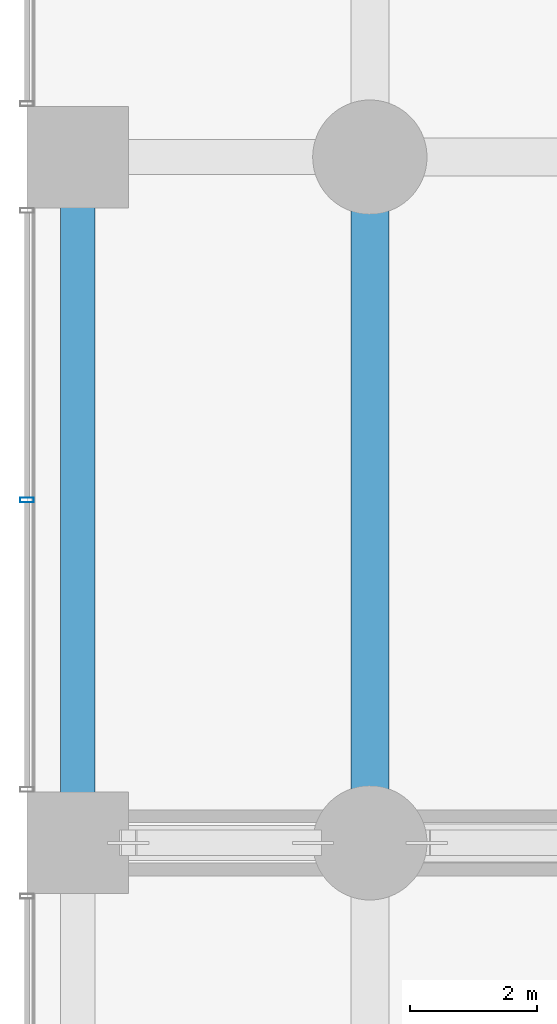
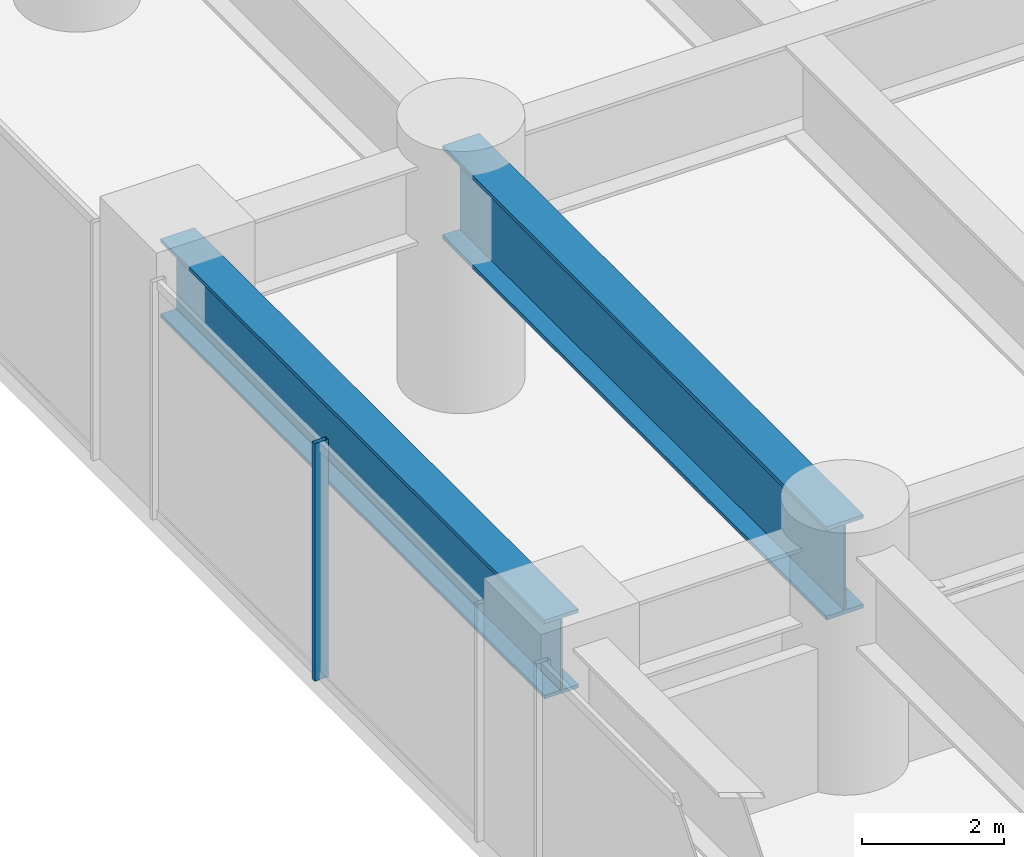
# One storey, part 7 of 37: 2 beams, 1 member, 1 element without a shape of its own.
"""IFC4 building model written with IfcOpenShell, lengths in metres."""

from ifc_helpers import new_model, si_unit, direction, frame, origin, origin_2d, place, context, subcontext, project, spatial, hollow_rectangle, i_section, extrude, material, layer, layer_set, material_profile, profile_set, type_object, element, aggregate, save


model = new_model("IFC4")

# Units and contexts
model_context = context("Model", 3, precision=1e-05, world=origin(), true_north=direction((0.0, 1.0)))
body_context = subcontext(model_context, "Body", "Model", "MODEL_VIEW")
ifc_project = project(units=[si_unit("LENGTHUNIT", "METRE"), si_unit("AREAUNIT", "SQUARE_METRE"), si_unit("VOLUMEUNIT", "CUBIC_METRE"), si_unit("PLANEANGLEUNIT", "RADIAN"), si_unit("MASSUNIT", "GRAM", prefix="KILO")], contexts=[model_context])

# Site, building, storey
site_placement = place(None, origin())
site = spatial("IfcSite", under=ifc_project, at=site_placement, CompositionType="ELEMENT")
building_placement = place(site_placement, origin())
building = spatial("IfcBuilding", under=site, at=building_placement, Name="Surkhivell Harbour Commons", CompositionType="ELEMENT")
storey_placement = place(building_placement, frame((0.0, 0.0, 18.0)))
storey = spatial("IfcBuildingStorey", under=building, at=storey_placement, Name="L04", CompositionType="ELEMENT", Elevation=18.0)

# Beams
ifc_material_1 = material(Name="Steel S460", Category="steel")
ifc_material_profile_1 = material_profile(ifc_material_1, i_section(OverallWidth=0.550048828125, OverallDepth=1.35009765625, WebThickness=0.031982421875, FlangeThickness=0.06005859375, at=origin_2d()), Name="WPG1350x550x248")
ifc_profile_set_1 = profile_set([ifc_material_profile_1], Name="Steel S460")
beam_type_1 = type_object("IfcBeamType", Name="BM-TRF-1350", PredefinedType="BEAM", material=ifc_profile_set_1)
beam_1_placement = place(storey_placement, frame((-37.0, 0.0, 3.405029296875), z_axis=(0.0, 1.0, 0.0), x_axis=(-1.0, 0.0, 0.0)))
element("IfcBeam", 1, at=beam_1_placement, inside=storey, type_object=beam_type_1, Name="L04 Transfer Girder (-37.0,0.0)", PredefinedType="BEAM", context=body_context, shape_type="SweptSolid", body=[
    extrude(i_section(OverallWidth=0.550048828125, OverallDepth=1.35009765625, WebThickness=0.031982421875, FlangeThickness=0.06005859375, at=origin_2d()), origin(), (0.0, 0.0, 1.0), 10.800048828125),
])
ifc_material_profile_2 = material_profile(ifc_material_1, i_section(OverallWidth=0.60009765625, OverallDepth=1.60009765625, WebThickness=0.035888671875, FlangeThickness=0.06494140625, at=origin_2d()), Name="WPG1600x600x296")
ifc_profile_set_2 = profile_set([ifc_material_profile_2], Name="Steel S460")
beam_type_2 = type_object("IfcBeamType", Name="BM-TRF-1600", PredefinedType="BEAM", material=ifc_profile_set_2)
beam_2_placement = place(storey_placement, frame((-32.39990234375, 0.0, 3.280029296875), z_axis=(0.0, 1.0, 0.0), x_axis=(-1.0, 0.0, 0.0)))
element("IfcBeam", 2, at=beam_2_placement, inside=storey, type_object=beam_type_2, Name="L04 Transfer Girder (-32.4,0.0)", PredefinedType="BEAM", context=body_context, shape_type="SweptSolid", body=[
    extrude(i_section(OverallWidth=0.60009765625, OverallDepth=1.60009765625, WebThickness=0.035888671875, FlangeThickness=0.06494140625, at=origin_2d()), origin(), (0.0, 0.0, 1.0), 10.800048828125),
])

# Curtain wall, member
ifc_material_2 = material(Name="Anodised pale-metal aluminium and insulated glazing", Category="aluminium")
ifc_layer = layer(ifc_material_2, 0.239990234375)
ifc_layer_set = layer_set([ifc_layer], Name="Anodised pale-metal aluminium and insulated glazing")
curtain_wall_type = type_object("IfcCurtainWallType", Name="CW-SYS-POD", PredefinedType="NOTDEFINED", material=ifc_layer_set)
curtain_wall_placement = place(storey_placement, origin())
curtain_wall = element("IfcCurtainWall", 3, at=curtain_wall_placement, inside=storey, type_object=curtain_wall_type, Name="L04 Curtain Wall CW-L04-W4", PredefinedType="NOTDEFINED")
ifc_material_3 = material(Name="Anodised pale-metal aluminium alloy 6063-T6", Category="aluminium")
ifc_material_profile_3 = material_profile(ifc_material_3, hollow_rectangle(XDim=0.074951171875, YDim=0.219970703125, WallThickness=0.00390625, at=origin_2d()), Name="ALU-MULL-75x220")
ifc_profile_set_3 = profile_set([ifc_material_profile_3], Name="Anodised pale-metal aluminium alloy 6063-T6")
member_type = type_object("IfcMemberType", Name="CWM-220", PredefinedType="MULLION", material=ifc_profile_set_3)
member_placement = place(storey_placement, frame((-37.800048828125, 5.39990234375, 0.0), z_axis=(0.0, 0.0, 1.0), x_axis=(0.0, 1.0, 0.0)))
member = element("IfcMember", 4, at=member_placement, type_object=member_type, Name="CW-POD mullion 2", PredefinedType="MULLION", context=body_context, shape_type="SweptSolid", body=[
    extrude(hollow_rectangle(XDim=0.074951171875, YDim=0.219970703125, WallThickness=0.00390625, at=origin_2d()), origin(), (0.0, 0.0, 1.0), 4.080078125),
])
aggregate(curtain_wall, [member])

save(model, "model.ifc")
